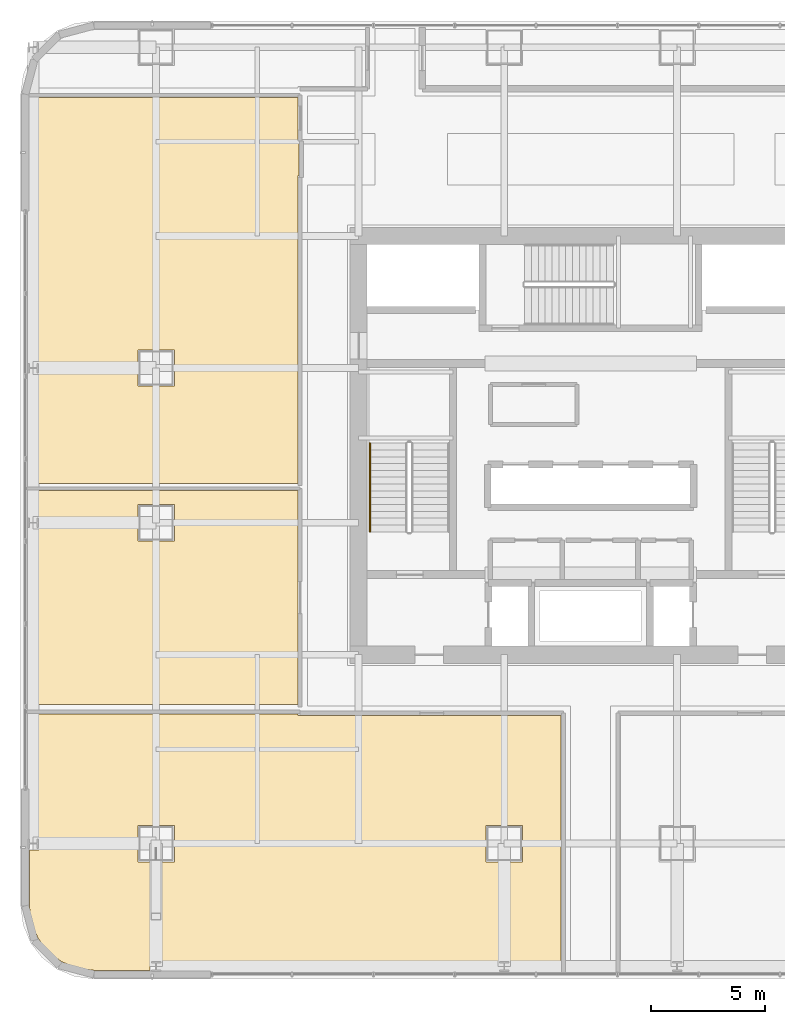
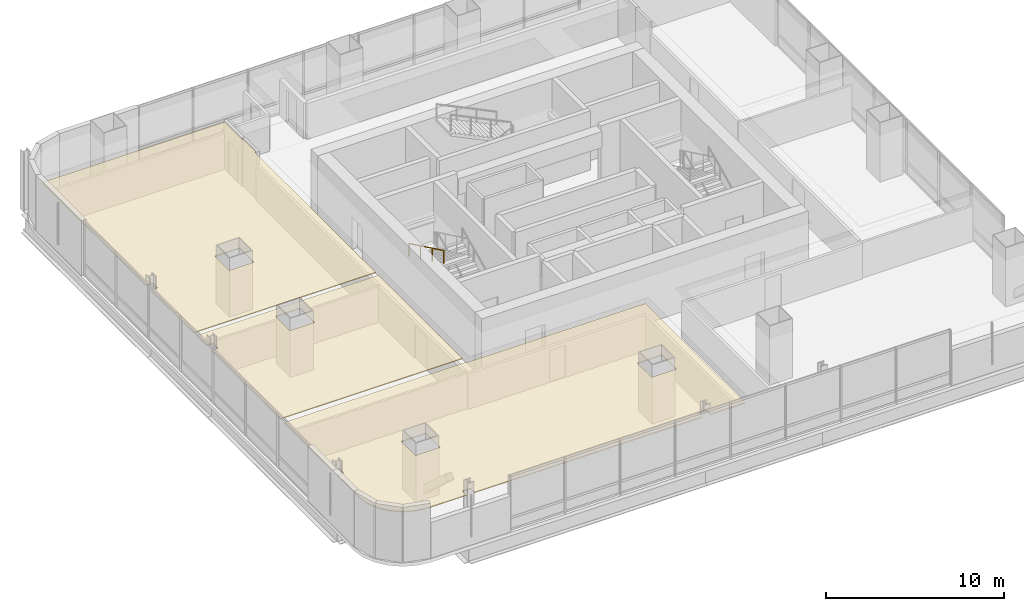
# One storey, part 35 of 45: 3 coverings, 1 railing.
"""IFC4 building model written with IfcOpenShell, lengths in metres."""

from ifc_helpers import new_model, si_unit, direction, frame, origin, origin_2d, place, context, subcontext, project, spatial, polyline, circle, outline, extrude, material, layer, layer_set, type_object, element, save


model = new_model("IFC4")

# Units and contexts
model_context = context("Model", 3, precision=1e-05, world=origin(), true_north=direction((0.0, 1.0)))
body_context = subcontext(model_context, "Body", "Model", "MODEL_VIEW")
ifc_project = project(units=[si_unit("LENGTHUNIT", "METRE"), si_unit("AREAUNIT", "SQUARE_METRE"), si_unit("VOLUMEUNIT", "CUBIC_METRE"), si_unit("PLANEANGLEUNIT", "RADIAN"), si_unit("MASSUNIT", "GRAM", prefix="KILO")], contexts=[model_context])

# Site, building, storey
site_placement = place(None, origin())
site = spatial("IfcSite", under=ifc_project, at=site_placement, CompositionType="ELEMENT")
building_placement = place(site_placement, origin())
building = spatial("IfcBuilding", under=site, at=building_placement, Name="Punatoya Terracotta Tower", CompositionType="ELEMENT")
storey_placement = place(building_placement, frame((0.0, 0.0, 56.550048828125)))
storey = spatial("IfcBuildingStorey", under=building, at=storey_placement, Name="L12", CompositionType="ELEMENT", Elevation=56.550048828125)

# Coverings
ifc_material_1 = material(Name="Acoustic Mineral Fibre Ceiling")
ifc_layer = layer(ifc_material_1, 0.06005859375)
ifc_layer_set = layer_set([ifc_layer], Name="Acoustic Mineral Fibre Ceiling")
covering_type = type_object("IfcCoveringType", Name="COV-CEIL-60", PredefinedType="CEILING", material=ifc_layer_set)
covering_1_placement = place(storey_placement, frame((0.0, 0.0, 3.199951171875)))
element("IfcCovering", 1, at=covering_1_placement, inside=storey, type_object=covering_type, Name="L12 Staff Wellness Studio Acoustic Ceiling", PredefinedType="CEILING", context=body_context, shape_type="SweptSolid", body=[
    extrude(outline(polyline([(-18.842041015625, -23.070068359375), (-4.05810546875, -23.070068359375), (-4.05810546875, -22.626953125), (-3.5419921875, -22.626953125), (-3.5419921875, -23.070068359375), (-1.300048828125, -23.070068359375), (-1.300048828125, -11.8701171875), (-12.8701171875, -11.8701171875), (-12.8701171875, -11.81005859375), (-24.669921875, -11.81005859375), (-24.669921875, -17.22705078125), (-24.241943359375, -17.22705078125), (-24.241943359375, -17.77294921875), (-24.669921875, -17.77294921875), (-24.669921875, -20.22509765625), (-24.57080078125, -20.97900390625), (-24.289306640625, -21.658203125), (-23.841796875, -22.24169921875), (-23.25830078125, -22.689453125), (-22.5791015625, -22.970703125), (-21.8251953125, -23.070068359375), (-19.35791015625, -23.070068359375), (-19.35791015625, -22.626953125), (-18.842041015625, -22.626953125), (-18.842041015625, -23.070068359375)]), holes=[polyline([(-4.60009765625, -16.699951171875), (-3.0, -16.699951171875), (-3.0, -18.300048828125), (-4.60009765625, -18.300048828125), (-4.60009765625, -16.699951171875)]), polyline([(-19.89990234375, -18.300048828125), (-19.89990234375, -16.699951171875), (-18.300048828125, -16.699951171875), (-18.300048828125, -18.300048828125), (-19.89990234375, -18.300048828125)])]), origin(), (0.0, 0.0, 1.0), 0.06005859375),
])
covering_2_placement = place(storey_placement, frame((0.0, 0.0, 3.199951171875)))
element("IfcCovering", 2, at=covering_2_placement, inside=storey, type_object=covering_type, Name="L12 Open-Plan Cultural History Classroom Acoustic Ceiling", PredefinedType="CEILING", context=body_context, shape_type="SweptSolid", body=[
    extrude(outline(polyline([(-24.669921875, -3.673095703125), (-24.669921875, -11.389892578125), (-12.8701171875, -11.389892578125), (-12.8701171875, -1.989990234375), (-24.669921875, -1.989990234375), (-24.669921875, -3.126953125), (-24.241943359375, -3.126953125), (-24.241943359375, -3.673095703125), (-24.669921875, -3.673095703125)]), holes=[polyline([(-18.300048828125, -4.199951171875), (-19.89990234375, -4.199951171875), (-19.89990234375, -2.60009765625), (-18.300048828125, -2.60009765625), (-18.300048828125, -4.199951171875)])]), origin(), (0.0, 0.0, 1.0), 0.06005859375),
])
covering_3_placement = place(storey_placement, frame((0.0, 0.0, 3.199951171875)))
element("IfcCovering", 3, at=covering_3_placement, inside=storey, type_object=covering_type, Name="L12 Nutrition Tea Pantry Acoustic Ceiling", PredefinedType="CEILING", context=body_context, shape_type="SweptSolid", body=[
    extrude(outline(polyline([(-12.8701171875, 11.8701171875), (-12.81005859375, 11.8701171875), (-12.81005859375, 13.280029296875), (-12.8701171875, 13.280029296875), (-12.8701171875, 15.2900390625), (-24.669921875, 15.2900390625), (-24.669921875, 3.673095703125), (-24.241943359375, 3.673095703125), (-24.241943359375, 3.126953125), (-24.669921875, 3.126953125), (-24.669921875, -1.669921875), (-12.8701171875, -1.669921875), (-12.8701171875, 11.8701171875)]), holes=[polyline([(-18.300048828125, 4.199951171875), (-18.300048828125, 2.60009765625), (-19.89990234375, 2.60009765625), (-19.89990234375, 4.199951171875), (-18.300048828125, 4.199951171875)])]), origin(), (0.0, 0.0, 1.0), 0.06005859375),
])

# Railing
ifc_material_2 = material(Name="Steel S355", Category="steel")
railing_type = type_object("IfcRailingType", Name="RLG-HND-900", PredefinedType="HANDRAIL", material=ifc_material_2)
railing_placement = place(storey_placement, frame((-9.699951171875, 0.10009765625, 2.169677734375)))
element("IfcRailing", 4, at=railing_placement, inside=storey, type_object=railing_type, Name="L12 ST-1 stair handrail 2", PredefinedType="HANDRAIL", context=body_context, shape_type="SweptSolid", body=[
    extrude(circle(Radius=0.02392578125, at=origin_2d()), frame((0.0, 0.0, 0.8759765625), z_axis=(0.0, -0.900773802044, 0.434288564841), x_axis=(1.0, 0.0, 0.0)), (0.0, 0.0, 1.0), 4.329833984375),
    extrude(circle(Radius=0.02099609375, at=origin_2d()), origin(), (0.0, 0.0, 1.0), 0.851806640625),
    extrude(circle(Radius=0.02099609375, at=origin_2d()), frame((0.0, -1.300048828125, 0.626708984375)), (0.0, 0.0, 1.0), 0.851806640625),
    extrude(circle(Radius=0.02099609375, at=origin_2d()), frame((0.0, -2.60009765625, 1.253662109375)), (0.0, 0.0, 1.0), 0.851806640625),
    extrude(circle(Radius=0.02099609375, at=origin_2d()), frame((0.0, -3.900146484375, 1.88037109375)), (0.0, 0.0, 1.0), 0.851806640625),
])

save(model, "model.ifc")
